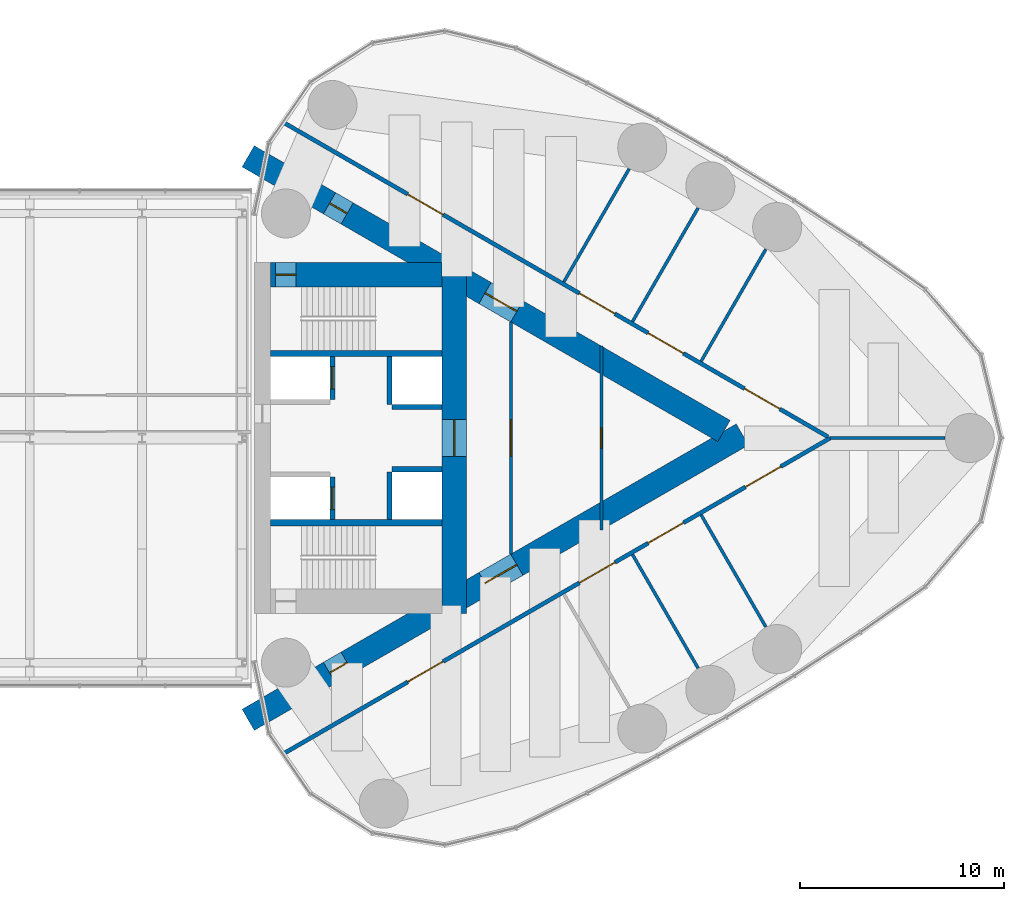
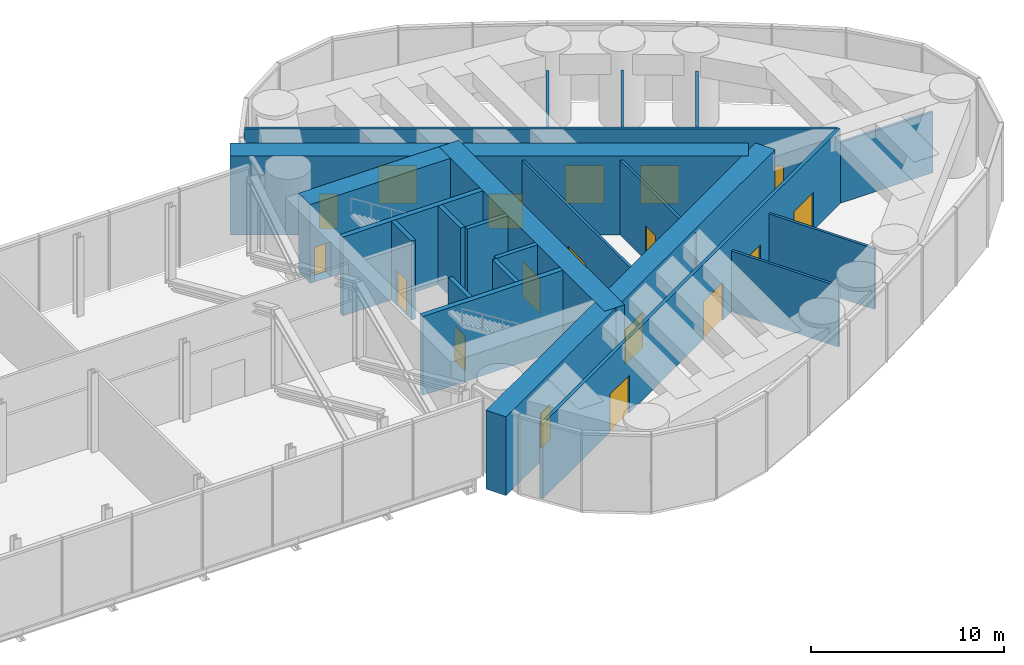
# One storey, part 17 of 19: 22 walls, 18 doors, 18 openings.
"""IFC4 building model written with IfcOpenShell, lengths in metres."""

from ifc_helpers import new_model, si_unit, direction, frame, frame_2d, origin, place, context, subcontext, project, spatial, rectangle, extrude, material, layer, layer_set, type_object, element, fill, save


model = new_model("IFC4")

# Units and contexts
model_context = context("Model", 3, precision=1e-05, world=origin(), true_north=direction((0.0, 1.0)))
body_context = subcontext(model_context, "Body", "Model", "MODEL_VIEW")
ifc_project = project(units=[si_unit("LENGTHUNIT", "METRE"), si_unit("AREAUNIT", "SQUARE_METRE"), si_unit("VOLUMEUNIT", "CUBIC_METRE"), si_unit("PLANEANGLEUNIT", "RADIAN"), si_unit("MASSUNIT", "GRAM", prefix="KILO")], contexts=[model_context])

# Site, building, storey
site_placement = place(None, origin())
site = spatial("IfcSite", under=ifc_project, at=site_placement, CompositionType="ELEMENT")
building_placement = place(site_placement, origin())
building = spatial("IfcBuilding", under=site, at=building_placement, Name="Lancet Gate Hotel", CompositionType="ELEMENT")
storey_placement = place(building_placement, frame((0.0, 0.0, 263.300048828125)))
storey = spatial("IfcBuildingStorey", under=building, at=storey_placement, Name="L69", CompositionType="ELEMENT", Elevation=263.300048828125)

# Wall, openings, doors
ifc_material_1 = material(Name="Concrete C70/85", Category="concrete")
ifc_layer_1 = layer(ifc_material_1, 1.199951171875)
ifc_layer_set_1 = layer_set([ifc_layer_1], Name="Buttress wall 1200")
wall_type_1 = type_object("IfcWallType", Name="Buttress wall 1200", PredefinedType="SHEAR", material=ifc_layer_set_1)
wall_1_placement = place(storey_placement, frame((27.199951171875, -13.800048828125, 0.0), z_axis=(0.0, 0.0, 1.0), x_axis=(0.866027159892, 0.499996958321, 0.0)))
wall_1 = element("IfcWall", 1, at=wall_1_placement, inside=storey, type_object=wall_type_1, Name="T2 buttress wall S L69", PredefinedType="SHEAR", context=body_context, shape_type="SweptSolid", body=[
    extrude(rectangle(XDim=27.946533203125, YDim=1.199951171875, at=frame_2d((13.97314453125, 0.0))), origin(), (0.0, 0.0, 1.0), 5.0),
])
opening_1_placement = place(wall_1_placement, frame((4.60009765625, 0.0, 0.0)))
opening_1 = element("IfcOpeningElement", 2, at=opening_1_placement, cuts=wall_1, Name="Opening T2-L69-LS", PredefinedType="OPENING", context=body_context, shape_type="SweptSolid", body=[
    extrude(rectangle(XDim=1.0, YDim=2.199951171875, at=frame_2d((0.5, 1.10009765625))), frame((0.0, 0.60986328125, 0.0), z_axis=(0.0, -1.0, 0.0), x_axis=(1.0, 0.0, 0.0)), (0.0, 0.0, 1.0), 1.219970703125),
])
opening_2_placement = place(wall_1_placement, frame((13.39453125, 0.0, 0.0)))
opening_2 = element("IfcOpeningElement", 3, at=opening_2_placement, cuts=wall_1, Name="Opening T2-L69-LHS", PredefinedType="OPENING", context=body_context, shape_type="SweptSolid", body=[
    extrude(rectangle(XDim=1.800048828125, YDim=2.199951171875, at=frame_2d((0.89990234375, 1.10009765625))), frame((0.0, 0.60986328125, 0.0), z_axis=(0.0, -1.0, 0.0), x_axis=(1.0, 0.0, 0.0)), (0.0, 0.0, 1.0), 1.219970703125),
])
ifc_material_2 = material(Name="Timber door set", Category="wood")
door_type_1 = type_object("IfcDoorType", Name="Lobby double door 1800", OperationType="DOUBLE_DOOR_SINGLE_SWING", PredefinedType="DOOR", material=ifc_material_2)
door_1_placement = place(opening_2_placement, origin())
door_1 = element("IfcDoor", 4, at=door_1_placement, inside=storey, type_object=door_type_1, Name="T2-L69-LHS", OperationType="DOUBLE_DOOR_SINGLE_SWING", OverallHeight=2.199951171875, OverallWidth=1.800048828125, PredefinedType="DOOR", context=body_context, shape_type="SweptSolid", body=[
    extrude(rectangle(XDim=1.800048828125, YDim=2.199951171875, at=frame_2d((0.89990234375, 1.10009765625))), frame((0.0, 0.02490234375, 0.0), z_axis=(0.0, -1.0, 0.0), x_axis=(1.0, 0.0, 0.0)), (0.0, 0.0, 1.0), 0.050048828125),
])
fill(opening_2, door_1)
ifc_material_3 = material(Name="Timber door set", Category="wood")
door_type_2 = type_object("IfcDoorType", Name="Stair lobby door 1000", OperationType="SINGLE_SWING_LEFT", PredefinedType="DOOR", material=ifc_material_3)
door_2_placement = place(opening_1_placement, origin())
door_2 = element("IfcDoor", 5, at=door_2_placement, inside=storey, type_object=door_type_2, Name="T2-L69-LS", OperationType="SINGLE_SWING_LEFT", OverallHeight=2.199951171875, OverallWidth=1.0, PredefinedType="DOOR", context=body_context, shape_type="SweptSolid", body=[
    extrude(rectangle(XDim=1.0, YDim=2.199951171875, at=frame_2d((0.5, 1.10009765625))), frame((0.0, 0.02490234375, 0.0), z_axis=(0.0, -1.0, 0.0), x_axis=(1.0, 0.0, 0.0)), (0.0, 0.0, 1.0), 0.050048828125),
])
fill(opening_1, door_2)

wall_2_placement = place(storey_placement, frame((27.199951171875, 13.800048828125, 0.0), z_axis=(0.0, 0.0, 1.0), x_axis=(0.866024515034, -0.500001539357, 0.0)))
wall_2 = element("IfcWall", 6, at=wall_2_placement, inside=storey, type_object=wall_type_1, Name="T2 buttress wall N L69", PredefinedType="SHEAR", context=body_context, shape_type="SweptSolid", body=[
    extrude(rectangle(XDim=26.9072265625, YDim=1.199951171875, at=frame_2d((13.45361328125, 0.0))), origin(), (0.0, 0.0, 1.0), 5.0),
])
opening_3_placement = place(wall_2_placement, frame((4.60009765625, 0.0, 0.0)))
opening_3 = element("IfcOpeningElement", 7, at=opening_3_placement, cuts=wall_2, Name="Opening T2-L69-LN", PredefinedType="OPENING", context=body_context, shape_type="SweptSolid", body=[
    extrude(rectangle(XDim=1.0, YDim=2.199951171875, at=frame_2d((0.5, 1.10009765625))), frame((0.0, 0.60986328125, 0.0), z_axis=(0.0, -1.0, 0.0), x_axis=(1.0, 0.0, 0.0)), (0.0, 0.0, 1.0), 1.219970703125),
])
opening_4_placement = place(wall_2_placement, frame((13.39453125, 0.0, 0.0)))
opening_4 = element("IfcOpeningElement", 8, at=opening_4_placement, cuts=wall_2, Name="Opening T2-L69-LHN", PredefinedType="OPENING", context=body_context, shape_type="SweptSolid", body=[
    extrude(rectangle(XDim=1.800048828125, YDim=2.199951171875, at=frame_2d((0.89990234375, 1.10009765625))), frame((0.0, 0.60986328125, 0.0), z_axis=(0.0, -1.0, 0.0), x_axis=(1.0, 0.0, 0.0)), (0.0, 0.0, 1.0), 1.219970703125),
])
door_3_placement = place(opening_4_placement, origin())
door_3 = element("IfcDoor", 9, at=door_3_placement, inside=storey, type_object=door_type_1, Name="T2-L69-LHN", OperationType="DOUBLE_DOOR_SINGLE_SWING", OverallHeight=2.199951171875, OverallWidth=1.800048828125, PredefinedType="DOOR", context=body_context, shape_type="SweptSolid", body=[
    extrude(rectangle(XDim=1.800048828125, YDim=2.199951171875, at=frame_2d((0.89990234375, 1.10009765625))), frame((0.0, 0.02490234375, 0.0), z_axis=(0.0, -1.0, 0.0), x_axis=(1.0, 0.0, 0.0)), (0.0, 0.0, 1.0), 0.050048828125),
])
fill(opening_4, door_3)
door_4_placement = place(opening_3_placement, origin())
door_4 = element("IfcDoor", 10, at=door_4_placement, inside=storey, type_object=door_type_2, Name="T2-L69-LN", OperationType="SINGLE_SWING_LEFT", OverallHeight=2.199951171875, OverallWidth=1.0, PredefinedType="DOOR", context=body_context, shape_type="SweptSolid", body=[
    extrude(rectangle(XDim=1.0, YDim=2.199951171875, at=frame_2d((0.5, 1.10009765625))), frame((0.0, 0.02490234375, 0.0), z_axis=(0.0, -1.0, 0.0), x_axis=(1.0, 0.0, 0.0)), (0.0, 0.0, 1.0), 0.050048828125),
])
fill(opening_3, door_4)

# Wall, opening, door
ifc_material_4 = material(Name="Concrete C70/85", Category="concrete")
ifc_layer_2 = layer(ifc_material_4, 1.199951171875)
ifc_layer_set_2 = layer_set([ifc_layer_2], Name="Core wall 1200")
wall_type_2 = type_object("IfcWallType", Name="Core wall 1200", PredefinedType="SHEAR", material=ifc_layer_set_2)
wall_3_placement = place(storey_placement, frame((37.300048828125, -8.60009765625, 0.0), z_axis=(0.0, 0.0, 1.0), x_axis=(0.0, 1.0, 0.0)))
wall_3 = element("IfcWall", 11, at=wall_3_placement, inside=storey, type_object=wall_type_2, Name="T2 core wall back L69", PredefinedType="SHEAR", context=body_context, shape_type="SweptSolid", body=[
    extrude(rectangle(XDim=17.2001953125, YDim=1.199951171875, at=frame_2d((8.60009765625, 0.0))), origin(), (0.0, 0.0, 1.0), 5.0),
])
opening_5_placement = place(wall_3_placement, frame((7.699951171875, 0.0, 0.0)))
opening_5 = element("IfcOpeningElement", 12, at=opening_5_placement, cuts=wall_3, Name="Opening T2-L69-LL", PredefinedType="OPENING", context=body_context, shape_type="SweptSolid", body=[
    extrude(rectangle(XDim=1.800048828125, YDim=2.199951171875, at=frame_2d((0.89990234375, 1.10009765625))), frame((0.0, 0.60986328125, 0.0), z_axis=(0.0, -1.0, 0.0), x_axis=(1.0, 0.0, 0.0)), (0.0, 0.0, 1.0), 1.219970703125),
])
door_5_placement = place(opening_5_placement, origin())
door_5 = element("IfcDoor", 13, at=door_5_placement, inside=storey, type_object=door_type_1, Name="T2-L69-LL", OperationType="DOUBLE_DOOR_SINGLE_SWING", OverallHeight=2.199951171875, OverallWidth=1.800048828125, PredefinedType="DOOR", context=body_context, shape_type="SweptSolid", body=[
    extrude(rectangle(XDim=1.800048828125, YDim=2.199951171875, at=frame_2d((0.89990234375, 1.10009765625))), frame((0.0, 0.02490234375, 0.0), z_axis=(0.0, -1.0, 0.0), x_axis=(1.0, 0.0, 0.0)), (0.0, 0.0, 1.0), 0.050048828125),
])
fill(opening_5, door_5)

wall_4_placement = place(storey_placement, frame((28.300048828125, 8.0, 0.0), z_axis=(0.0, 0.0, 1.0), x_axis=(1.0, 0.0, 0.0)))
wall_4 = element("IfcWall", 14, at=wall_4_placement, inside=storey, type_object=wall_type_2, Name="T2 core wall side-N L69", PredefinedType="SHEAR", context=body_context, shape_type="SweptSolid", body=[
    extrude(rectangle(XDim=8.39990234375, YDim=1.199951171875, at=frame_2d((4.199951171875, 0.0))), origin(), (0.0, 0.0, 1.0), 5.0),
])
opening_6_placement = place(wall_4_placement, frame((0.25, 0.0, 0.0)))
opening_6 = element("IfcOpeningElement", 15, at=opening_6_placement, cuts=wall_4, Name="Opening T2-L69-ST2", PredefinedType="OPENING", context=body_context, shape_type="SweptSolid", body=[
    extrude(rectangle(XDim=1.0, YDim=2.199951171875, at=frame_2d((0.5, 1.10009765625))), frame((0.0, 0.60986328125, 0.0), z_axis=(0.0, -1.0, 0.0), x_axis=(1.0, 0.0, 0.0)), (0.0, 0.0, 1.0), 1.219970703125),
])
ifc_material_5 = material(Name="Timber door set", Category="wood")
door_type_3 = type_object("IfcDoorType", Name="Stair door 1000", OperationType="SINGLE_SWING_RIGHT", PredefinedType="DOOR", material=ifc_material_5)
door_6_placement = place(opening_6_placement, origin())
door_6 = element("IfcDoor", 16, at=door_6_placement, inside=storey, type_object=door_type_3, Name="T2-L69-ST2", OperationType="SINGLE_SWING_RIGHT", OverallHeight=2.199951171875, OverallWidth=1.0, PredefinedType="DOOR", context=body_context, shape_type="SweptSolid", body=[
    extrude(rectangle(XDim=1.0, YDim=2.199951171875, at=frame_2d((0.5, 1.10009765625))), frame((0.0, 0.02490234375, 0.0), z_axis=(0.0, -1.0, 0.0), x_axis=(1.0, 0.0, 0.0)), (0.0, 0.0, 1.0), 0.050048828125),
])
fill(opening_6, door_6)

# Wall, openings, doors
ifc_material_6 = material(Name="Gypsum board partition")
ifc_layer_3 = layer(ifc_material_6, 0.199951171875)
ifc_layer_set_3 = layer_set([ifc_layer_3], Name="Corridor wall 200")
wall_type_3 = type_object("IfcWallType", Name="Corridor wall 200", PredefinedType="PARTITIONING", material=ifc_layer_set_3)
wall_5_placement = place(storey_placement, frame((28.958984375, -15.440185546875, 0.0), z_axis=(0.0, 0.0, 1.0), x_axis=(0.866025227435, 0.500000305447, 0.0)))
wall_5 = element("IfcWall", 17, at=wall_5_placement, inside=storey, type_object=wall_type_3, Name="T2 corridor wall 200 L69", PredefinedType="PARTITIONING", context=body_context, shape_type="SweptSolid", body=[
    extrude(rectangle(XDim=30.88037109375, YDim=0.199951171875, at=frame_2d((15.440185546875, 0.0))), origin(), (0.0, 0.0, 1.0), 4.75),
])
opening_7_placement = place(wall_5_placement, frame((6.99365234375, 0.0, 0.0)))
opening_7 = element("IfcOpeningElement", 18, at=opening_7_placement, cuts=wall_5, Name="Opening T2-L69-K101", PredefinedType="OPENING", context=body_context, shape_type="SweptSolid", body=[
    extrude(rectangle(XDim=2.0, YDim=2.39990234375, at=frame_2d((1.0, 1.199951171875))), frame((0.0, 0.10986328125, 0.0), z_axis=(0.0, -1.0, 0.0), x_axis=(1.0, 0.0, 0.0)), (0.0, 0.0, 1.0), 0.219970703125),
])
opening_8_placement = place(wall_5_placement, frame((16.7041015625, 0.0, 0.0)))
opening_8 = element("IfcOpeningElement", 19, at=opening_8_placement, cuts=wall_5, Name="Opening T2-L69-K102", PredefinedType="OPENING", context=body_context, shape_type="SweptSolid", body=[
    extrude(rectangle(XDim=2.0, YDim=2.39990234375, at=frame_2d((1.0, 1.199951171875))), frame((0.0, 0.10986328125, 0.0), z_axis=(0.0, -1.0, 0.0), x_axis=(1.0, 0.0, 0.0)), (0.0, 0.0, 1.0), 0.219970703125),
])
opening_9_placement = place(wall_5_placement, frame((20.587158203125, 0.0, 0.0)))
opening_9 = element("IfcOpeningElement", 20, at=opening_9_placement, cuts=wall_5, Name="Opening T2-L69-K103", PredefinedType="OPENING", context=body_context, shape_type="SweptSolid", body=[
    extrude(rectangle(XDim=2.0, YDim=2.39990234375, at=frame_2d((1.0, 1.199951171875))), frame((0.0, 0.10986328125, 0.0), z_axis=(0.0, -1.0, 0.0), x_axis=(1.0, 0.0, 0.0)), (0.0, 0.0, 1.0), 0.219970703125),
])
opening_10_placement = place(wall_5_placement, frame((26.091796875, 0.0, 0.0)))
opening_10 = element("IfcOpeningElement", 21, at=opening_10_placement, cuts=wall_5, Name="Opening T2-L69-K104", PredefinedType="OPENING", context=body_context, shape_type="SweptSolid", body=[
    extrude(rectangle(XDim=2.0, YDim=2.39990234375, at=frame_2d((1.0, 1.199951171875))), frame((0.0, 0.10986328125, 0.0), z_axis=(0.0, -1.0, 0.0), x_axis=(1.0, 0.0, 0.0)), (0.0, 0.0, 1.0), 0.219970703125),
])
ifc_material_7 = material(Name="Timber door set", Category="wood")
door_type_4 = type_object("IfcDoorType", Name="Plant room double door 2000", OperationType="DOUBLE_DOOR_SINGLE_SWING", PredefinedType="DOOR", material=ifc_material_7)
door_7_placement = place(opening_7_placement, origin())
door_7 = element("IfcDoor", 22, at=door_7_placement, inside=storey, type_object=door_type_4, Name="T2-L69-K101", OperationType="DOUBLE_DOOR_SINGLE_SWING", OverallHeight=2.39990234375, OverallWidth=2.0, PredefinedType="DOOR", context=body_context, shape_type="SweptSolid", body=[
    extrude(rectangle(XDim=2.0, YDim=2.39990234375, at=frame_2d((1.0, 1.199951171875))), frame((0.0, 0.02490234375, 0.0), z_axis=(0.0, -1.0, 0.0), x_axis=(1.0, 0.0, 0.0)), (0.0, 0.0, 1.0), 0.050048828125),
])
fill(opening_7, door_7)
door_8_placement = place(opening_8_placement, origin())
door_8 = element("IfcDoor", 23, at=door_8_placement, inside=storey, type_object=door_type_4, Name="T2-L69-K102", OperationType="DOUBLE_DOOR_SINGLE_SWING", OverallHeight=2.39990234375, OverallWidth=2.0, PredefinedType="DOOR", context=body_context, shape_type="SweptSolid", body=[
    extrude(rectangle(XDim=2.0, YDim=2.39990234375, at=frame_2d((1.0, 1.199951171875))), frame((0.0, 0.02490234375, 0.0), z_axis=(0.0, -1.0, 0.0), x_axis=(1.0, 0.0, 0.0)), (0.0, 0.0, 1.0), 0.050048828125),
])
fill(opening_8, door_8)
door_9_placement = place(opening_9_placement, origin())
door_9 = element("IfcDoor", 24, at=door_9_placement, inside=storey, type_object=door_type_4, Name="T2-L69-K103", OperationType="DOUBLE_DOOR_SINGLE_SWING", OverallHeight=2.39990234375, OverallWidth=2.0, PredefinedType="DOOR", context=body_context, shape_type="SweptSolid", body=[
    extrude(rectangle(XDim=2.0, YDim=2.39990234375, at=frame_2d((1.0, 1.199951171875))), frame((0.0, 0.02490234375, 0.0), z_axis=(0.0, -1.0, 0.0), x_axis=(1.0, 0.0, 0.0)), (0.0, 0.0, 1.0), 0.050048828125),
])
fill(opening_9, door_9)
door_10_placement = place(opening_10_placement, origin())
door_10 = element("IfcDoor", 25, at=door_10_placement, inside=storey, type_object=door_type_4, Name="T2-L69-K104", OperationType="DOUBLE_DOOR_SINGLE_SWING", OverallHeight=2.39990234375, OverallWidth=2.0, PredefinedType="DOOR", context=body_context, shape_type="SweptSolid", body=[
    extrude(rectangle(XDim=2.0, YDim=2.39990234375, at=frame_2d((1.0, 1.199951171875))), frame((0.0, 0.02490234375, 0.0), z_axis=(0.0, -1.0, 0.0), x_axis=(1.0, 0.0, 0.0)), (0.0, 0.0, 1.0), 0.050048828125),
])
fill(opening_10, door_10)

wall_6_placement = place(storey_placement, frame((28.958984375, 15.440185546875, 0.0), z_axis=(0.0, 0.0, 1.0), x_axis=(0.866027378611, -0.499996579484, 0.0)))
wall_6 = element("IfcWall", 26, at=wall_6_placement, inside=storey, type_object=wall_type_3, Name="T2 corridor wall 200 L69", PredefinedType="PARTITIONING", context=body_context, shape_type="SweptSolid", body=[
    extrude(rectangle(XDim=30.760498046875, YDim=0.199951171875, at=frame_2d((15.38037109375, 0.0))), origin(), (0.0, 0.0, 1.0), 4.75),
])
opening_11_placement = place(wall_6_placement, frame((26.03173828125, 0.0, 0.0)))
opening_11 = element("IfcOpeningElement", 27, at=opening_11_placement, cuts=wall_6, Name="Opening T2-L69-K105", PredefinedType="OPENING", context=body_context, shape_type="SweptSolid", body=[
    extrude(rectangle(XDim=2.0, YDim=2.39990234375, at=frame_2d((1.0, 1.199951171875))), frame((0.0, 0.10986328125, 0.0), z_axis=(0.0, -1.0, 0.0), x_axis=(1.0, 0.0, 0.0)), (0.0, 0.0, 1.0), 0.219970703125),
])
opening_12_placement = place(wall_6_placement, frame((20.587158203125, 0.0, 0.0)))
opening_12 = element("IfcOpeningElement", 28, at=opening_12_placement, cuts=wall_6, Name="Opening T2-L69-K106", PredefinedType="OPENING", context=body_context, shape_type="SweptSolid", body=[
    extrude(rectangle(XDim=2.0, YDim=2.39990234375, at=frame_2d((1.0, 1.199951171875))), frame((0.0, 0.10986328125, 0.0), z_axis=(0.0, -1.0, 0.0), x_axis=(1.0, 0.0, 0.0)), (0.0, 0.0, 1.0), 0.219970703125),
])
opening_13_placement = place(wall_6_placement, frame((16.7041015625, 0.0, 0.0)))
opening_13 = element("IfcOpeningElement", 29, at=opening_13_placement, cuts=wall_6, Name="Opening T2-L69-K107", PredefinedType="OPENING", context=body_context, shape_type="SweptSolid", body=[
    extrude(rectangle(XDim=2.0, YDim=2.39990234375, at=frame_2d((1.0, 1.199951171875))), frame((0.0, 0.10986328125, 0.0), z_axis=(0.0, -1.0, 0.0), x_axis=(1.0, 0.0, 0.0)), (0.0, 0.0, 1.0), 0.219970703125),
])
opening_14_placement = place(wall_6_placement, frame((6.99365234375, 0.0, 0.0)))
opening_14 = element("IfcOpeningElement", 30, at=opening_14_placement, cuts=wall_6, Name="Opening T2-L69-K108", PredefinedType="OPENING", context=body_context, shape_type="SweptSolid", body=[
    extrude(rectangle(XDim=2.0, YDim=2.39990234375, at=frame_2d((1.0, 1.199951171875))), frame((0.0, 0.10986328125, 0.0), z_axis=(0.0, -1.0, 0.0), x_axis=(1.0, 0.0, 0.0)), (0.0, 0.0, 1.0), 0.219970703125),
])
door_11_placement = place(opening_11_placement, origin())
door_11 = element("IfcDoor", 31, at=door_11_placement, inside=storey, type_object=door_type_4, Name="T2-L69-K105", OperationType="DOUBLE_DOOR_SINGLE_SWING", OverallHeight=2.39990234375, OverallWidth=2.0, PredefinedType="DOOR", context=body_context, shape_type="SweptSolid", body=[
    extrude(rectangle(XDim=2.0, YDim=2.39990234375, at=frame_2d((1.0, 1.199951171875))), frame((0.0, 0.02490234375, 0.0), z_axis=(0.0, -1.0, 0.0), x_axis=(1.0, 0.0, 0.0)), (0.0, 0.0, 1.0), 0.050048828125),
])
fill(opening_11, door_11)
door_12_placement = place(opening_12_placement, origin())
door_12 = element("IfcDoor", 32, at=door_12_placement, inside=storey, type_object=door_type_4, Name="T2-L69-K106", OperationType="DOUBLE_DOOR_SINGLE_SWING", OverallHeight=2.39990234375, OverallWidth=2.0, PredefinedType="DOOR", context=body_context, shape_type="SweptSolid", body=[
    extrude(rectangle(XDim=2.0, YDim=2.39990234375, at=frame_2d((1.0, 1.199951171875))), frame((0.0, 0.02490234375, 0.0), z_axis=(0.0, -1.0, 0.0), x_axis=(1.0, 0.0, 0.0)), (0.0, 0.0, 1.0), 0.050048828125),
])
fill(opening_12, door_12)
door_13_placement = place(opening_13_placement, origin())
door_13 = element("IfcDoor", 33, at=door_13_placement, inside=storey, type_object=door_type_4, Name="T2-L69-K107", OperationType="DOUBLE_DOOR_SINGLE_SWING", OverallHeight=2.39990234375, OverallWidth=2.0, PredefinedType="DOOR", context=body_context, shape_type="SweptSolid", body=[
    extrude(rectangle(XDim=2.0, YDim=2.39990234375, at=frame_2d((1.0, 1.199951171875))), frame((0.0, 0.02490234375, 0.0), z_axis=(0.0, -1.0, 0.0), x_axis=(1.0, 0.0, 0.0)), (0.0, 0.0, 1.0), 0.050048828125),
])
fill(opening_13, door_13)
door_14_placement = place(opening_14_placement, origin())
door_14 = element("IfcDoor", 34, at=door_14_placement, inside=storey, type_object=door_type_4, Name="T2-L69-K108", OperationType="DOUBLE_DOOR_SINGLE_SWING", OverallHeight=2.39990234375, OverallWidth=2.0, PredefinedType="DOOR", context=body_context, shape_type="SweptSolid", body=[
    extrude(rectangle(XDim=2.0, YDim=2.39990234375, at=frame_2d((1.0, 1.199951171875))), frame((0.0, 0.02490234375, 0.0), z_axis=(0.0, -1.0, 0.0), x_axis=(1.0, 0.0, 0.0)), (0.0, 0.0, 1.0), 0.050048828125),
])
fill(opening_14, door_14)

# Wall, opening, door
ifc_material_8 = material(Name="Concrete C50/60", Category="concrete")
ifc_layer_4 = layer(ifc_material_8, 0.25)
ifc_layer_set_4 = layer_set([ifc_layer_4], Name="Lift shaft wall 250")
wall_type_4 = type_object("IfcWallType", Name="Lift shaft wall 250", PredefinedType="SHEAR", material=ifc_layer_set_4)
wall_7_placement = place(storey_placement, frame((31.324951171875, -4.0, 0.0), z_axis=(0.0, 0.0, 1.0), x_axis=(0.0, 1.0, 0.0)))
wall_7 = element("IfcWall", 35, at=wall_7_placement, inside=storey, type_object=wall_type_4, Name="T2 core wall row1-S L69", PredefinedType="SHEAR", context=body_context, shape_type="SweptSolid", body=[
    extrude(rectangle(XDim=2.10009765625, YDim=0.25, at=frame_2d((1.050048828125, 0.0))), origin(), (0.0, 0.0, 1.0), 5.0),
])
opening_15_placement = place(wall_7_placement, frame((0.5, 0.0, 0.0)))
opening_15 = element("IfcOpeningElement", 36, at=opening_15_placement, cuts=wall_7, Name="Opening T2-SL1-L69", PredefinedType="OPENING", context=body_context, shape_type="SweptSolid", body=[
    extrude(rectangle(XDim=1.10009765625, YDim=2.199951171875, at=frame_2d((0.550048828125, 1.10009765625))), frame((0.0, 0.135009765625, 0.0), z_axis=(0.0, -1.0, 0.0), x_axis=(1.0, 0.0, 0.0)), (0.0, 0.0, 1.0), 0.27001953125),
])
ifc_material_9 = material(Name="Timber door set", Category="wood")
door_type_5 = type_object("IfcDoorType", Name="Service lift landing door 1100", OperationType="SLIDING_TO_LEFT", PredefinedType="USERDEFINED", material=ifc_material_9)
door_15_placement = place(opening_15_placement, origin())
door_15 = element("IfcDoor", 37, at=door_15_placement, inside=storey, type_object=door_type_5, Name="T2-SL1-L69", ObjectType="LIFT LANDING DOOR", OperationType="SLIDING_TO_LEFT", OverallHeight=2.199951171875, OverallWidth=1.10009765625, PredefinedType="USERDEFINED", context=body_context, shape_type="SweptSolid", body=[
    extrude(rectangle(XDim=1.10009765625, YDim=2.199951171875, at=frame_2d((0.550048828125, 1.10009765625))), frame((0.0, 0.02490234375, 0.0), z_axis=(0.0, -1.0, 0.0), x_axis=(1.0, 0.0, 0.0)), (0.0, 0.0, 1.0), 0.050048828125),
])
fill(opening_15, door_15)

# Walls
wall_8_placement = place(storey_placement, frame((34.125, -4.0, 0.0), z_axis=(0.0, 0.0, 1.0), x_axis=(0.0, 1.0, 0.0)))
element("IfcWall", 38, at=wall_8_placement, inside=storey, type_object=wall_type_4, Name="T2 core wall row2-S L69", PredefinedType="SHEAR", context=body_context, shape_type="SweptSolid", body=[
    extrude(rectangle(XDim=2.35009765625, YDim=0.25, at=frame_2d((1.175048828125, 0.0))), origin(), (0.0, 0.0, 1.0), 5.0),
])
wall_9_placement = place(storey_placement, frame((34.25, -1.52490234375, 0.0), z_axis=(0.0, 0.0, 1.0), x_axis=(1.0, 0.0, 0.0)))
element("IfcWall", 39, at=wall_9_placement, inside=storey, type_object=wall_type_4, Name="T2 core wall pass2-S L69", PredefinedType="SHEAR", context=body_context, shape_type="SweptSolid", body=[
    extrude(rectangle(XDim=2.449951171875, YDim=0.25, at=frame_2d((1.22509765625, 0.0))), origin(), (0.0, 0.0, 1.0), 5.0),
])

# Wall, opening, door
wall_10_placement = place(storey_placement, frame((31.324951171875, 1.89990234375, 0.0), z_axis=(0.0, 0.0, 1.0), x_axis=(0.0, 1.0, 0.0)))
wall_10 = element("IfcWall", 40, at=wall_10_placement, inside=storey, type_object=wall_type_4, Name="T2 core wall row1-N L69", PredefinedType="SHEAR", context=body_context, shape_type="SweptSolid", body=[
    extrude(rectangle(XDim=2.10009765625, YDim=0.25, at=frame_2d((1.050048828125, 0.0))), origin(), (0.0, 0.0, 1.0), 5.0),
])
opening_16_placement = place(wall_10_placement, frame((0.5, 0.0, 0.0)))
opening_16 = element("IfcOpeningElement", 41, at=opening_16_placement, cuts=wall_10, Name="Opening T2-FL2-L69", PredefinedType="OPENING", context=body_context, shape_type="SweptSolid", body=[
    extrude(rectangle(XDim=1.10009765625, YDim=2.199951171875, at=frame_2d((0.550048828125, 1.10009765625))), frame((0.0, 0.135009765625, 0.0), z_axis=(0.0, -1.0, 0.0), x_axis=(1.0, 0.0, 0.0)), (0.0, 0.0, 1.0), 0.27001953125),
])
ifc_material_10 = material(Name="Steel door set", Category="steel")
door_type_6 = type_object("IfcDoorType", Name="Firefighting lift landing door 1100", OperationType="SLIDING_TO_LEFT", PredefinedType="USERDEFINED", material=ifc_material_10)
door_16_placement = place(opening_16_placement, origin())
door_16 = element("IfcDoor", 42, at=door_16_placement, inside=storey, type_object=door_type_6, Name="T2-FL2-L69", ObjectType="LIFT LANDING DOOR", OperationType="SLIDING_TO_LEFT", OverallHeight=2.199951171875, OverallWidth=1.10009765625, PredefinedType="USERDEFINED", context=body_context, shape_type="SweptSolid", body=[
    extrude(rectangle(XDim=1.10009765625, YDim=2.199951171875, at=frame_2d((0.550048828125, 1.10009765625))), frame((0.0, 0.02490234375, 0.0), z_axis=(0.0, -1.0, 0.0), x_axis=(1.0, 0.0, 0.0)), (0.0, 0.0, 1.0), 0.050048828125),
])
fill(opening_16, door_16)

# Walls
wall_11_placement = place(storey_placement, frame((34.125, 1.64990234375, 0.0), z_axis=(0.0, 0.0, 1.0), x_axis=(0.0, 1.0, 0.0)))
element("IfcWall", 43, at=wall_11_placement, inside=storey, type_object=wall_type_4, Name="T2 core wall row2-N L69", PredefinedType="SHEAR", context=body_context, shape_type="SweptSolid", body=[
    extrude(rectangle(XDim=2.35009765625, YDim=0.25, at=frame_2d((1.175048828125, 0.0))), origin(), (0.0, 0.0, 1.0), 5.0),
])
wall_12_placement = place(storey_placement, frame((34.25, 1.52490234375, 0.0), z_axis=(0.0, 0.0, 1.0), x_axis=(1.0, 0.0, 0.0)))
element("IfcWall", 44, at=wall_12_placement, inside=storey, type_object=wall_type_4, Name="T2 core wall pass2-N L69", PredefinedType="SHEAR", context=body_context, shape_type="SweptSolid", body=[
    extrude(rectangle(XDim=2.449951171875, YDim=0.25, at=frame_2d((1.22509765625, 0.0))), origin(), (0.0, 0.0, 1.0), 5.0),
])
ifc_material_11 = material(Name="Gypsum board partition")
ifc_layer_5 = layer(ifc_material_11, 0.14990234375)
ifc_layer_set_5 = layer_set([ifc_layer_5], Name="Party wall 150")
wall_type_5 = type_object("IfcWallType", Name="Party wall 150", PredefinedType="PARTITIONING", material=ifc_layer_set_5)
wall_13_placement = place(storey_placement, frame((46.02294921875, -5.703857421875, 0.0), z_axis=(0.0, 0.0, 1.0), x_axis=(0.499984478165, -0.866034365135, 0.0)))
element("IfcWall", 45, at=wall_13_placement, inside=storey, type_object=wall_type_5, Name="T2 party wall 150 L69", PredefinedType="PARTITIONING", context=body_context, shape_type="SweptSolid", body=[
    extrude(rectangle(XDim=6.425537109375, YDim=0.14990234375, at=frame_2d((3.212890625, 0.0))), origin(), (0.0, 0.0, 1.0), 3.849853515625),
])
wall_14_placement = place(storey_placement, frame((49.38525390625, -3.7626953125, 0.0), z_axis=(0.0, 0.0, 1.0), x_axis=(0.499999447814, -0.866025722589, 0.0)))
element("IfcWall", 46, at=wall_14_placement, inside=storey, type_object=wall_type_5, Name="T2 party wall 150 L69", PredefinedType="PARTITIONING", context=body_context, shape_type="SweptSolid", body=[
    extrude(rectangle(XDim=6.33251953125, YDim=0.14990234375, at=frame_2d((3.166259765625, 0.0))), origin(), (0.0, 0.0, 1.0), 3.849853515625),
])
wall_15_placement = place(storey_placement, frame((42.65966796875, 7.6455078125, 0.0), z_axis=(0.0, 0.0, 1.0), x_axis=(0.499996592859, 0.866027370889, 0.0)))
element("IfcWall", 47, at=wall_15_placement, inside=storey, type_object=wall_type_5, Name="T2 party wall 150 L69", PredefinedType="PARTITIONING", context=body_context, shape_type="SweptSolid", body=[
    extrude(rectangle(XDim=6.3984375, YDim=0.14990234375, at=frame_2d((3.19921875, 0.0))), origin(), (0.0, 0.0, 1.0), 3.849853515625),
])
wall_16_placement = place(storey_placement, frame((46.02294921875, 5.703857421875, 0.0), z_axis=(0.0, 0.0, 1.0), x_axis=(0.499984478165, 0.866034365135, 0.0)))
element("IfcWall", 48, at=wall_16_placement, inside=storey, type_object=wall_type_5, Name="T2 party wall 150 L69", PredefinedType="PARTITIONING", context=body_context, shape_type="SweptSolid", body=[
    extrude(rectangle(XDim=6.425537109375, YDim=0.14990234375, at=frame_2d((3.212890625, 0.0))), origin(), (0.0, 0.0, 1.0), 3.849853515625),
])
wall_17_placement = place(storey_placement, frame((49.38525390625, 3.7626953125, 0.0), z_axis=(0.0, 0.0, 1.0), x_axis=(0.499999447814, 0.866025722589, 0.0)))
element("IfcWall", 49, at=wall_17_placement, inside=storey, type_object=wall_type_5, Name="T2 party wall 150 L69", PredefinedType="PARTITIONING", context=body_context, shape_type="SweptSolid", body=[
    extrude(rectangle(XDim=6.33251953125, YDim=0.14990234375, at=frame_2d((3.166259765625, 0.0))), origin(), (0.0, 0.0, 1.0), 3.849853515625),
])
wall_18_placement = place(storey_placement, frame((55.7021484375, 0.0, 0.0), z_axis=(0.0, 0.0, 1.0), x_axis=(1.0, 0.0, 0.0)))
element("IfcWall", 50, at=wall_18_placement, inside=storey, type_object=wall_type_5, Name="T2 party wall 150 L69", PredefinedType="PARTITIONING", context=body_context, shape_type="SweptSolid", body=[
    extrude(rectangle(XDim=5.619384765625, YDim=0.14990234375, at=frame_2d((2.8095703125, 0.0))), origin(), (0.0, 0.0, 1.0), 3.849853515625),
])

# Wall, opening, door
ifc_material_12 = material(Name="Gypsum board partition")
ifc_layer_6 = layer(ifc_material_12, 0.14990234375)
ifc_layer_set_6 = layer_set([ifc_layer_6], Name="Service room wall 150")
wall_type_6 = type_object("IfcWallType", Name="Service room wall 150", PredefinedType="PARTITIONING", material=ifc_layer_set_6)
wall_19_placement = place(storey_placement, frame((40.074951171875, -5.673828125, 0.0), z_axis=(0.0, 0.0, 1.0), x_axis=(0.0, 1.0, 0.0)))
wall_19 = element("IfcWall", 51, at=wall_19_placement, inside=storey, type_object=wall_type_6, Name="T2 service room wall 150 L69", PredefinedType="PARTITIONING", context=body_context, shape_type="SweptSolid", body=[
    extrude(rectangle(XDim=11.34765625, YDim=0.14990234375, at=frame_2d((5.673828125, 0.0))), origin(), (0.0, 0.0, 1.0), 4.75),
])
opening_17_placement = place(wall_19_placement, frame((4.773681640625, 0.0, 0.0)))
opening_17 = element("IfcOpeningElement", 52, at=opening_17_placement, cuts=wall_19, Name="Opening T2-L69-LH", PredefinedType="OPENING", context=body_context, shape_type="SweptSolid", body=[
    extrude(rectangle(XDim=1.800048828125, YDim=2.199951171875, at=frame_2d((0.89990234375, 1.10009765625))), frame((0.0, 0.0849609375, 0.0), z_axis=(0.0, -1.0, 0.0), x_axis=(1.0, 0.0, 0.0)), (0.0, 0.0, 1.0), 0.169921875),
])
door_17_placement = place(opening_17_placement, origin())
door_17 = element("IfcDoor", 53, at=door_17_placement, inside=storey, type_object=door_type_1, Name="T2-L69-LH", OperationType="DOUBLE_DOOR_SINGLE_SWING", OverallHeight=2.199951171875, OverallWidth=1.800048828125, PredefinedType="DOOR", context=body_context, shape_type="SweptSolid", body=[
    extrude(rectangle(XDim=1.800048828125, YDim=2.199951171875, at=frame_2d((0.89990234375, 1.10009765625))), frame((0.0, 0.02490234375, 0.0), z_axis=(0.0, -1.0, 0.0), x_axis=(1.0, 0.0, 0.0)), (0.0, 0.0, 1.0), 0.050048828125),
])
fill(opening_17, door_17)

wall_20_placement = place(storey_placement, frame((44.5, -4.504638671875, 0.0), z_axis=(0.0, 0.0, 1.0), x_axis=(0.0, 1.0, 0.0)))
wall_20 = element("IfcWall", 54, at=wall_20_placement, inside=storey, type_object=wall_type_6, Name="T2 service room wall 150 L69", PredefinedType="PARTITIONING", context=body_context, shape_type="SweptSolid", body=[
    extrude(rectangle(XDim=9.00927734375, YDim=0.14990234375, at=frame_2d((4.504638671875, 0.0))), origin(), (0.0, 0.0, 1.0), 4.75),
])
opening_18_placement = place(wall_20_placement, frame((4.004638671875, 0.0, 0.0)))
opening_18 = element("IfcOpeningElement", 55, at=opening_18_placement, cuts=wall_20, Name="Opening T2-L69-SV", PredefinedType="OPENING", context=body_context, shape_type="SweptSolid", body=[
    extrude(rectangle(XDim=1.0, YDim=2.199951171875, at=frame_2d((0.5, 1.10009765625))), frame((0.0, 0.0849609375, 0.0), z_axis=(0.0, -1.0, 0.0), x_axis=(1.0, 0.0, 0.0)), (0.0, 0.0, 1.0), 0.169921875),
])
ifc_material_13 = material(Name="Timber door set", Category="wood")
door_type_7 = type_object("IfcDoorType", Name="Service door 1000", OperationType="SINGLE_SWING_LEFT", PredefinedType="DOOR", material=ifc_material_13)
door_18_placement = place(opening_18_placement, origin())
door_18 = element("IfcDoor", 56, at=door_18_placement, inside=storey, type_object=door_type_7, Name="T2-L69-SV", OperationType="SINGLE_SWING_LEFT", OverallHeight=2.199951171875, OverallWidth=1.0, PredefinedType="DOOR", context=body_context, shape_type="SweptSolid", body=[
    extrude(rectangle(XDim=1.0, YDim=2.199951171875, at=frame_2d((0.5, 1.10009765625))), frame((0.0, 0.02490234375, 0.0), z_axis=(0.0, -1.0, 0.0), x_axis=(1.0, 0.0, 0.0)), (0.0, 0.0, 1.0), 0.050048828125),
])
fill(opening_18, door_18)

# Walls
ifc_material_14 = material(Name="Concrete C50/60", Category="concrete")
ifc_layer_7 = layer(ifc_material_14, 0.300048828125)
ifc_layer_set_7 = layer_set([ifc_layer_7], Name="Stair enclosure wall 300")
wall_type_7 = type_object("IfcWallType", Name="Stair enclosure wall 300", PredefinedType="SHEAR", material=ifc_layer_set_7)
for number, where, z_axis, x_axis, name in (
    (57, (28.300048828125, -4.14990234375, 0.0), (0.0, 0.0, 1.0), (1.0, 0.0, 0.0), "T2 core wall stair-S L69"),
    (58, (28.300048828125, 4.14990234375, 0.0), (0.0, 0.0, 1.0), (1.0, 0.0, 0.0), "T2 core wall stair-N L69"),
):
    element("IfcWall", number, at=place(storey_placement, frame(where, z_axis=z_axis, x_axis=x_axis)), inside=storey, type_object=wall_type_7, Name=name, PredefinedType="SHEAR", context=body_context, shape_type="SweptSolid", body=[
        extrude(rectangle(XDim=8.39990234375, YDim=0.300048828125, at=frame_2d((4.199951171875, 0.0))), origin(), (0.0, 0.0, 1.0), 5.0),
    ])

save(model, "model.ifc")
